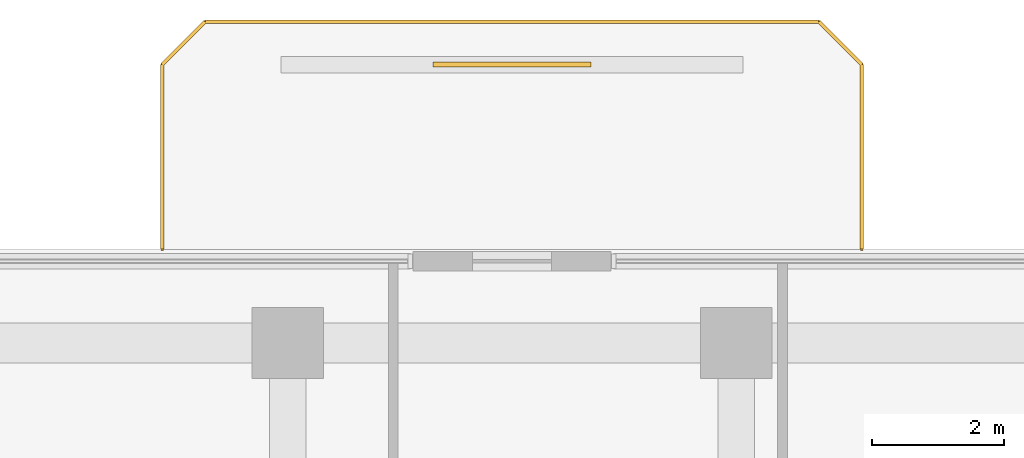
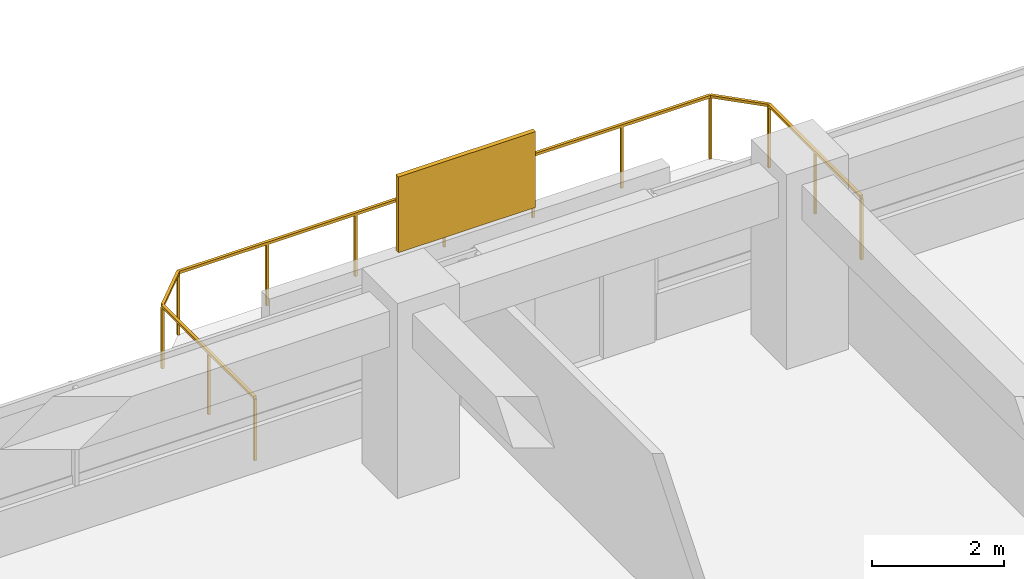
# One storey, part 14 of 14: 1 railing, 1 shading device.
"""IFC4 building model written with IfcOpenShell, lengths in metres."""

from ifc_helpers import new_model, si_unit, derived_unit, direction, frame, origin, origin_2d, place, context, subcontext, project, spatial, rectangle, extrude, material, layer, layer_set, type_object, element, save


model = new_model("IFC4")

# Units and contexts
model_context = context("Model", 3, precision=1e-05, world=origin(), true_north=direction((0.0, 1.0)))
body_context = subcontext(model_context, "Body", "Model", "MODEL_VIEW")
ifc_project = project(units=[si_unit("LENGTHUNIT", "METRE"), si_unit("AREAUNIT", "SQUARE_METRE"), si_unit("VOLUMEUNIT", "CUBIC_METRE"), si_unit("PLANEANGLEUNIT", "RADIAN"), si_unit("MASSUNIT", "GRAM", prefix="KILO"), derived_unit("THERMALTRANSMITTANCEUNIT", [(si_unit("POWERUNIT", "WATT"), 1), (si_unit("LENGTHUNIT", "METRE"), -2), (si_unit("THERMODYNAMICTEMPERATUREUNIT", "KELVIN"), -1)])], contexts=[model_context])

# Site, building, storey
site_placement = place(None, origin())
site = spatial("IfcSite", under=ifc_project, at=site_placement, CompositionType="ELEMENT")
building_placement = place(site_placement, origin())
building = spatial("IfcBuilding", under=site, at=building_placement, Name="Koralith Skygarden Medical Center", CompositionType="ELEMENT")
storey_placement = place(building_placement, frame((0.0, 0.0, 45.5400390625)))
storey = spatial("IfcBuildingStorey", under=building, at=storey_placement, Name="L11", CompositionType="ELEMENT", Elevation=45.5400390625)

# Railing
ifc_material_1 = material(Name="Steel ASTM A500 Grade C", Category="steel")
railing_type = type_object("IfcRailingType", Name="Outdoor Terrace & Balcony Safety Guardrail 1180", PredefinedType="GUARDRAIL", material=ifc_material_1)
railing_placement = place(storey_placement, frame((42.300048828125, 49.5, 0.0)))
element("IfcRailing", 1, at=railing_placement, inside=storey, type_object=railing_type, Name="L11 N Balcony Perimeter Guardrail", PredefinedType="GUARDRAIL", context=body_context, shape_type="SweptSolid", body=[
    extrude(rectangle(XDim=0.050048828125, YDim=0.050048828125, at=origin_2d()), frame((0.0, 0.001953125, 1.15478515625), z_axis=(0.0, 1.0, 0.0), x_axis=(-1.0, 0.0, 0.0)), (0.0, 0.0, 1.0), 2.796142578125),
    extrude(rectangle(XDim=0.050048828125, YDim=0.050048828125, at=origin_2d()), frame((-0.00146484375, 2.801513671875, 1.15478515625), z_axis=(-0.707239558722, 0.706973978714, 0.0), x_axis=(-0.706973978714, -0.707239558722, 0.0)), (0.0, 0.0, 1.0), 0.915283203125),
    extrude(rectangle(XDim=0.050048828125, YDim=0.050048828125, at=origin_2d()), frame((-0.652099609375, 3.449951171875, 1.15478515625), z_axis=(-1.0, 0.0, 0.0), x_axis=(0.0, -1.0, 0.0)), (0.0, 0.0, 1.0), 9.2958984375),
    extrude(rectangle(XDim=0.050048828125, YDim=0.050048828125, at=origin_2d()), frame((-9.951416015625, 3.448486328125, 1.15478515625), z_axis=(-0.707239558722, -0.706973978714, 0.0), x_axis=(0.706973978714, -0.707239558722, 0.0)), (0.0, 0.0, 1.0), 0.915283203125),
    extrude(rectangle(XDim=0.050048828125, YDim=0.050048828125, at=origin_2d()), frame((-10.60009765625, 2.798095703125, 1.15478515625), z_axis=(0.0, -1.0, 0.0), x_axis=(1.0, 0.0, 0.0)), (0.0, 0.0, 1.0), 2.796142578125),
    extrude(rectangle(XDim=0.0419921875, YDim=0.0419921875, at=origin_2d()), origin(), (0.0, 0.0, 1.0), 1.1279296875),
    extrude(rectangle(XDim=0.0419921875, YDim=0.0419921875, at=origin_2d()), frame((0.0, 1.39990234375, 0.0)), (0.0, 0.0, 1.0), 1.1279296875),
    extrude(rectangle(XDim=0.0419921875, YDim=0.0419921875, at=origin_2d()), frame((0.0, 2.800048828125, 0.0)), (0.0, 0.0, 1.0), 1.1279296875),
    extrude(rectangle(XDim=0.0419921875, YDim=0.0419921875, at=origin_2d()), frame((-0.650146484375, 3.449951171875, 0.0)), (0.0, 0.0, 1.0), 1.1279296875),
    extrude(rectangle(XDim=0.0419921875, YDim=0.0419921875, at=origin_2d()), frame((-2.2001953125, 3.449951171875, 0.0)), (0.0, 0.0, 1.0), 1.1279296875),
    extrude(rectangle(XDim=0.0419921875, YDim=0.0419921875, at=origin_2d()), frame((-3.75, 3.449951171875, 0.0)), (0.0, 0.0, 1.0), 1.1279296875),
    extrude(rectangle(XDim=0.0419921875, YDim=0.0419921875, at=origin_2d()), frame((-5.300048828125, 3.449951171875, 0.0)), (0.0, 0.0, 1.0), 1.1279296875),
    extrude(rectangle(XDim=0.0419921875, YDim=0.0419921875, at=origin_2d()), frame((-6.85009765625, 3.449951171875, 0.0)), (0.0, 0.0, 1.0), 1.1279296875),
    extrude(rectangle(XDim=0.0419921875, YDim=0.0419921875, at=origin_2d()), frame((-8.39990234375, 3.449951171875, 0.0)), (0.0, 0.0, 1.0), 1.1279296875),
    extrude(rectangle(XDim=0.0419921875, YDim=0.0419921875, at=origin_2d()), frame((-9.949951171875, 3.449951171875, 0.0)), (0.0, 0.0, 1.0), 1.1279296875),
    extrude(rectangle(XDim=0.0419921875, YDim=0.0419921875, at=origin_2d()), frame((-10.60009765625, 2.800048828125, 0.0)), (0.0, 0.0, 1.0), 1.1279296875),
    extrude(rectangle(XDim=0.0419921875, YDim=0.0419921875, at=origin_2d()), frame((-10.60009765625, 1.39990234375, 0.0)), (0.0, 0.0, 1.0), 1.1279296875),
    extrude(rectangle(XDim=0.0419921875, YDim=0.0419921875, at=origin_2d()), frame((-10.60009765625, 0.0, 0.0)), (0.0, 0.0, 1.0), 1.1279296875),
])

# Shading device
ifc_material_2 = material(Name="Aluminium 6063-T6", Category="aluminium")
ifc_layer = layer(ifc_material_2, 0.080078125)
ifc_layer_set = layer_set([ifc_layer], Name="Aluminium 6063-T6")
shading_device_type = type_object("IfcShadingDeviceType", Name="Perforated Biophilic Balcony Trellis Screen", PredefinedType="USERDEFINED", material=ifc_layer_set)
shading_device_placement = place(storey_placement, frame((37.0, 52.300048828125, 0.719970703125), z_axis=(0.0, 0.0, 1.0), x_axis=(1.0, 0.0, 0.0)))
element("IfcShadingDevice", 2, at=shading_device_placement, inside=storey, type_object=shading_device_type, Name="L11 N Biophilic Balcony Trellis Screen", ObjectType="HURRICANE SCREEN", PredefinedType="USERDEFINED", context=body_context, shape_type="SweptSolid", body=[
    extrude(rectangle(XDim=2.39990234375, YDim=0.080078125, at=origin_2d()), origin(), (0.0, 0.0, 1.0), 1.39990234375),
])

save(model, "model.ifc")
